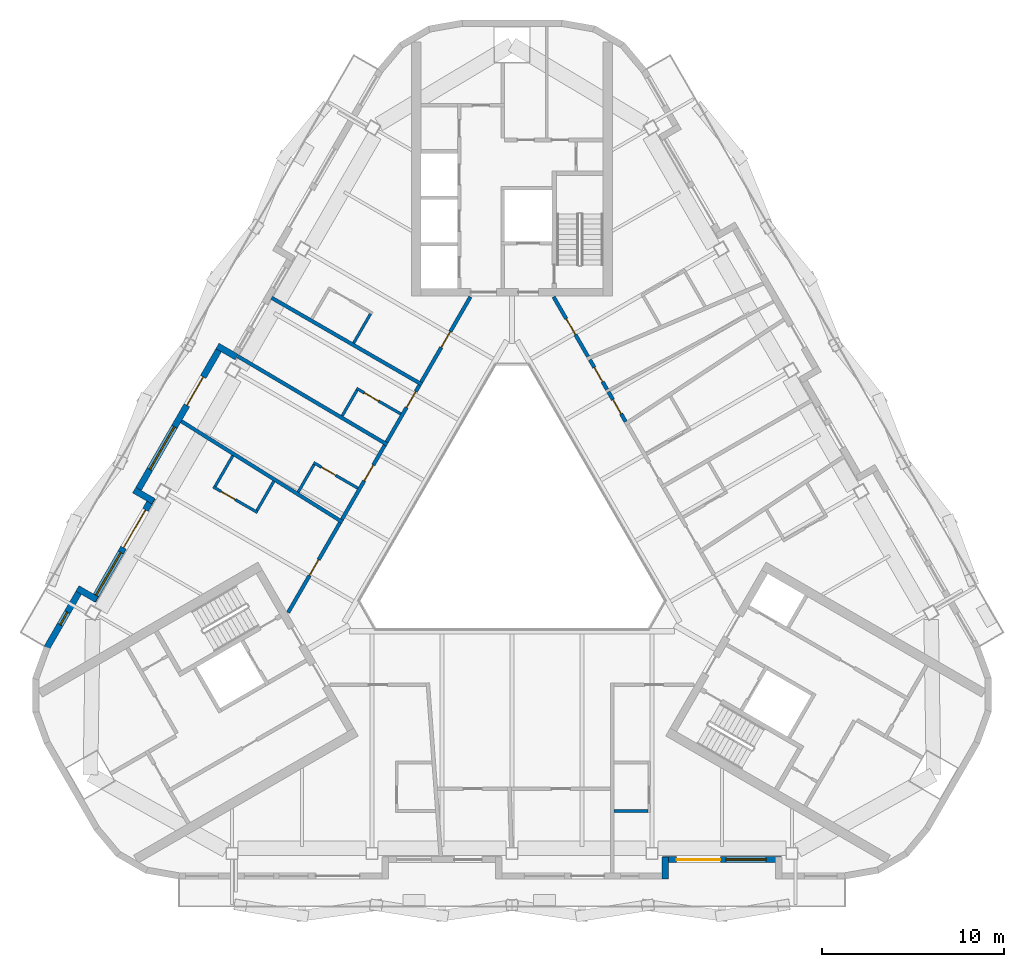
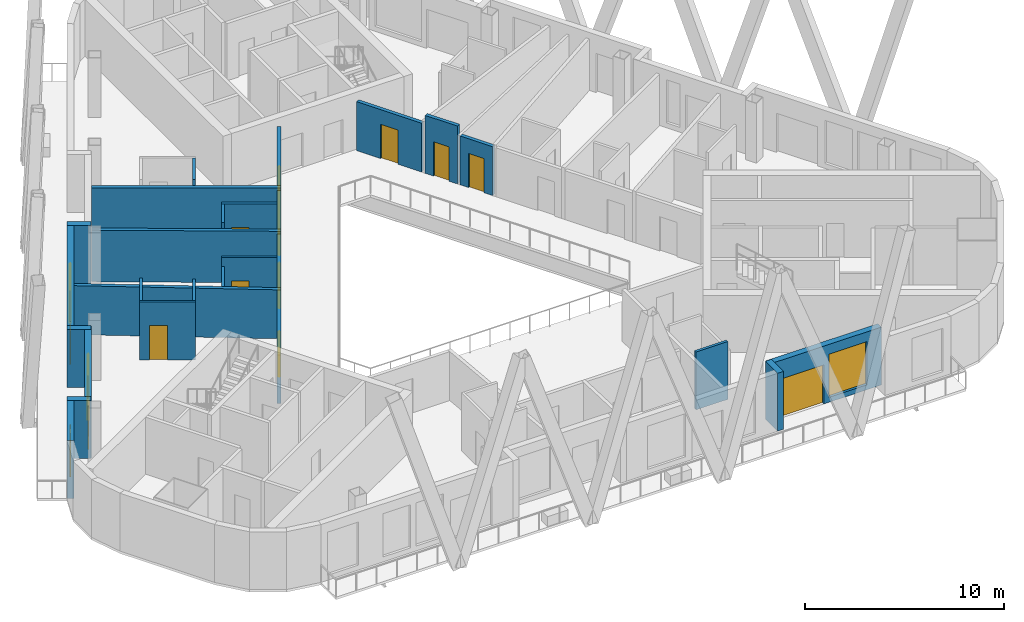
# One storey, part 4 of 14: 27 walls, 13 doors, 4 windows, 17 openings.
"""IFC4 building model written with IfcOpenShell, lengths in metres."""

from ifc_helpers import new_model, si_unit, direction, frame, frame_2d, origin, place, context, subcontext, project, spatial, rectangle, extrude, material, layer, layer_set, type_object, element, fill, save


model = new_model("IFC4")

# Units and contexts
model_context = context("Model", 3, precision=1e-05, world=origin(), true_north=direction((0.0, 1.0)))
body_context = subcontext(model_context, "Body", "Model", "MODEL_VIEW")
ifc_project = project(units=[si_unit("LENGTHUNIT", "METRE"), si_unit("AREAUNIT", "SQUARE_METRE"), si_unit("VOLUMEUNIT", "CUBIC_METRE"), si_unit("PLANEANGLEUNIT", "RADIAN"), si_unit("MASSUNIT", "GRAM", prefix="KILO")], contexts=[model_context])

# Site, building, storey
site_placement = place(None, origin())
site = spatial("IfcSite", under=ifc_project, at=site_placement, CompositionType="ELEMENT")
building_placement = place(site_placement, origin())
building = spatial("IfcBuilding", under=site, at=building_placement, Name="Apuvela Tower Hotel", CompositionType="ELEMENT")
storey_placement = place(building_placement, frame((0.0, 0.0, 257.800048828125)))
storey = spatial("IfcBuildingStorey", under=building, at=storey_placement, Name="L63", CompositionType="ELEMENT", Elevation=257.800048828125)

# Wall
ifc_material_1 = material(Name="Concrete C40/50, dark pigmented precast panel", Category="concrete")
ifc_layer_1 = layer(ifc_material_1, 0.35009765625)
ifc_layer_set_1 = layer_set([ifc_layer_1], Name="ENV-WALL-350")
wall_type_1 = type_object("IfcWallType", Name="ENV-WALL-350", PredefinedType="SOLIDWALL", material=ifc_layer_set_1)
wall_1_placement = place(storey_placement, frame((-15.08984375, 9.54931640625, 0.0), z_axis=(0.0, 0.0, 1.0), x_axis=(-0.866092288191, 0.499884134912, 0.0)))
element("IfcWall", 1, at=wall_1_placement, inside=storey, type_object=wall_type_1, Name="External wall L63-04", PredefinedType="SOLIDWALL", context=body_context, shape_type="SweptSolid", body=[
    extrude(rectangle(XDim=1.219970703125, YDim=0.35009765625, at=frame_2d((0.60986328125, 0.0))), origin(), (0.0, 0.0, 1.0), 3.550048828125),
])

# Wall, openings, door, window
wall_2_placement = place(storey_placement, frame((-15.907470703125, 10.223388671875, 0.0), z_axis=(0.0, 0.0, 1.0), x_axis=(-0.499992427901, -0.866029775494, 0.0)))
wall_2 = element("IfcWall", 2, at=wall_2_placement, inside=storey, type_object=wall_type_1, Name="External wall L63-05", PredefinedType="SOLIDWALL", context=body_context, shape_type="SweptSolid", body=[
    extrude(rectangle(XDim=9.471923828125, YDim=0.35009765625, at=frame_2d((4.73583984375, 0.0))), origin(), (0.0, 0.0, 1.0), 3.550048828125),
])
opening_1_placement = place(wall_2_placement, frame((2.0302734375, 0.0, 0.0)))
opening_1 = element("IfcOpeningElement", 3, at=opening_1_placement, cuts=wall_2, Name="Opening BD18", PredefinedType="OPENING", context=body_context, shape_type="SweptSolid", body=[
    extrude(rectangle(XDim=1.800048828125, YDim=2.39990234375, at=frame_2d((0.89990234375, 1.199951171875))), frame((0.0, 0.18505859375, 0.0), z_axis=(0.0, -1.0, 0.0), x_axis=(1.0, 0.0, 0.0)), (0.0, 0.0, 1.0), 0.3701171875),
])
opening_2_placement = place(wall_2_placement, frame((5.185546875, 0.0, 0.300048828125)))
opening_2 = element("IfcOpeningElement", 4, at=opening_2_placement, cuts=wall_2, Name="Opening WN27", PredefinedType="OPENING", context=body_context, shape_type="SweptSolid", body=[
    extrude(rectangle(XDim=2.699951171875, YDim=2.64990234375, at=frame_2d((1.35009765625, 1.324951171875))), frame((0.0, 0.18505859375, 0.0), z_axis=(0.0, -1.0, 0.0), x_axis=(1.0, 0.0, 0.0)), (0.0, 0.0, 1.0), 0.3701171875),
])
ifc_material_2 = material(Name="Aluminium 6063-T6, dark bronze anodised frame with dark tinted laminated glass", Category="aluminium")
door_type_1 = type_object("IfcDoorType", Name="ENV-DOOR-BALCONY-1800x2400", OperationType="SLIDING_TO_LEFT", PredefinedType="DOOR", material=ifc_material_2)
door_1_placement = place(opening_1_placement, frame((1.800048828125, 0.0, 0.0), z_axis=(0.0, 0.0, 1.0), x_axis=(-1.0, 0.0, 0.0)))
door_1 = element("IfcDoor", 5, at=door_1_placement, inside=storey, type_object=door_type_1, Name="Balcony door BD18", OperationType="SLIDING_TO_LEFT", OverallHeight=2.39990234375, OverallWidth=1.800048828125, PredefinedType="DOOR", context=body_context, shape_type="SweptSolid", body=[
    extrude(rectangle(XDim=1.800048828125, YDim=2.39990234375, at=frame_2d((0.89990234375, 1.199951171875))), frame((0.0, 0.02490234375, 0.0), z_axis=(0.0, -1.0, 0.0), x_axis=(1.0, 0.0, 0.0)), (0.0, 0.0, 1.0), 0.050048828125),
])
fill(opening_1, door_1)
ifc_material_3 = material(Name="Glass, dark tinted laminated insulated glazing unit", Category="glass")
window_type_1 = type_object("IfcWindowType", Name="ENV-WIN-2700x2650", PartitioningType="SINGLE_PANEL", PredefinedType="WINDOW", material=ifc_material_3)
window_1_placement = place(opening_2_placement, origin())
window_1 = element("IfcWindow", 6, at=window_1_placement, inside=storey, type_object=window_type_1, Name="Window WN27", OverallHeight=2.64990234375, OverallWidth=2.699951171875, PartitioningType="SINGLE_PANEL", PredefinedType="WINDOW", context=body_context, shape_type="SweptSolid", body=[
    extrude(rectangle(XDim=2.699951171875, YDim=2.64990234375, at=frame_2d((1.35009765625, 1.324951171875))), frame((0.0, 0.030029296875, 0.0), z_axis=(0.0, -1.0, 0.0), x_axis=(1.0, 0.0, 0.0)), (0.0, 0.0, 1.0), 0.06005859375),
])
fill(opening_2, window_1)

# Wall
wall_3_placement = place(storey_placement, frame((-20.70751953125, 2.259521484375, 0.0), z_axis=(0.0, 0.0, 1.0), x_axis=(0.866092288191, -0.499884134912, 0.0)))
element("IfcWall", 7, at=wall_3_placement, inside=storey, type_object=wall_type_1, Name="External wall L63-06", PredefinedType="SOLIDWALL", context=body_context, shape_type="SweptSolid", body=[
    extrude(rectangle(XDim=1.219970703125, YDim=0.35009765625, at=frame_2d((0.60986328125, 0.0))), origin(), (0.0, 0.0, 1.0), 3.550048828125),
])

# Wall, openings, door, window
wall_4_placement = place(storey_placement, frame((-19.703857421875, 1.84765625, 0.0), z_axis=(0.0, 0.0, 1.0), x_axis=(-0.499993986225, -0.866028875811, 0.0)))
wall_4 = element("IfcWall", 8, at=wall_4_placement, inside=storey, type_object=wall_type_1, Name="External wall L63-07", PredefinedType="SOLIDWALL", context=body_context, shape_type="SweptSolid", body=[
    extrude(rectangle(XDim=6.51171875, YDim=0.35009765625, at=frame_2d((3.255859375, 0.0))), origin(), (0.0, 0.0, 1.0), 3.550048828125),
])
opening_3_placement = place(wall_4_placement, frame((0.77001953125, 0.0, 0.0)))
opening_3 = element("IfcOpeningElement", 9, at=opening_3_placement, cuts=wall_4, Name="Opening BD24", PredefinedType="OPENING", context=body_context, shape_type="SweptSolid", body=[
    extrude(rectangle(XDim=2.39990234375, YDim=2.39990234375, at=frame_2d((1.199951171875, 1.199951171875))), frame((0.0, 0.18505859375, 0.0), z_axis=(0.0, -1.0, 0.0), x_axis=(1.0, 0.0, 0.0)), (0.0, 0.0, 1.0), 0.3701171875),
])
opening_4_placement = place(wall_4_placement, frame((3.469970703125, 0.0, 0.300048828125)))
opening_4 = element("IfcOpeningElement", 10, at=opening_4_placement, cuts=wall_4, Name="Opening WN27", PredefinedType="OPENING", context=body_context, shape_type="SweptSolid", body=[
    extrude(rectangle(XDim=2.699951171875, YDim=2.64990234375, at=frame_2d((1.35009765625, 1.324951171875))), frame((0.0, 0.18505859375, 0.0), z_axis=(0.0, -1.0, 0.0), x_axis=(1.0, 0.0, 0.0)), (0.0, 0.0, 1.0), 0.3701171875),
])
door_type_2 = type_object("IfcDoorType", Name="ENV-DOOR-BALCONY-2400x2400", OperationType="SLIDING_TO_LEFT", PredefinedType="DOOR", material=ifc_material_2)
door_2_placement = place(opening_3_placement, frame((2.39990234375, 0.0, 0.0), z_axis=(0.0, 0.0, 1.0), x_axis=(-1.0, 0.0, 0.0)))
door_2 = element("IfcDoor", 11, at=door_2_placement, inside=storey, type_object=door_type_2, Name="Balcony door BD24", OperationType="SLIDING_TO_LEFT", OverallHeight=2.39990234375, OverallWidth=2.39990234375, PredefinedType="DOOR", context=body_context, shape_type="SweptSolid", body=[
    extrude(rectangle(XDim=2.39990234375, YDim=2.39990234375, at=frame_2d((1.199951171875, 1.199951171875))), frame((0.0, 0.02490234375, 0.0), z_axis=(0.0, -1.0, 0.0), x_axis=(1.0, 0.0, 0.0)), (0.0, 0.0, 1.0), 0.050048828125),
])
fill(opening_3, door_2)
window_2_placement = place(opening_4_placement, origin())
window_2 = element("IfcWindow", 12, at=window_2_placement, inside=storey, type_object=window_type_1, Name="Window WN27", OverallHeight=2.64990234375, OverallWidth=2.699951171875, PartitioningType="SINGLE_PANEL", PredefinedType="WINDOW", context=body_context, shape_type="SweptSolid", body=[
    extrude(rectangle(XDim=2.699951171875, YDim=2.64990234375, at=frame_2d((1.35009765625, 1.324951171875))), frame((0.0, 0.030029296875, 0.0), z_axis=(0.0, -1.0, 0.0), x_axis=(1.0, 0.0, 0.0)), (0.0, 0.0, 1.0), 0.06005859375),
])
fill(opening_4, window_2)

# Wall
wall_5_placement = place(storey_placement, frame((-22.76171875, -3.738525390625, 0.0), z_axis=(0.0, 0.0, 1.0), x_axis=(-0.866042269935, 0.499970785833, 0.0)))
element("IfcWall", 13, at=wall_5_placement, inside=storey, type_object=wall_type_1, Name="External wall L63-08", PredefinedType="SOLIDWALL", context=body_context, shape_type="SweptSolid", body=[
    extrude(rectangle(XDim=1.2197265625, YDim=0.35009765625, at=frame_2d((0.60986328125, 0.0))), origin(), (0.0, 0.0, 1.0), 3.550048828125),
])

# Wall, opening, window
wall_6_placement = place(storey_placement, frame((-23.5791015625, -3.064697265625, 0.0), z_axis=(0.0, 0.0, 1.0), x_axis=(-0.500048109927, -0.865997625723, 0.0)))
wall_6 = element("IfcWall", 14, at=wall_6_placement, inside=storey, type_object=wall_type_1, Name="External wall L63-09", PredefinedType="SOLIDWALL", context=body_context, shape_type="SweptSolid", body=[
    extrude(rectangle(XDim=3.82861328125, YDim=0.35009765625, at=frame_2d((1.914306640625, 0.0))), origin(), (0.0, 0.0, 1.0), 3.550048828125),
])
opening_5_placement = place(wall_6_placement, frame((1.57470703125, 0.0, 0.300048828125)))
opening_5 = element("IfcOpeningElement", 15, at=opening_5_placement, cuts=wall_6, Name="Opening WN08", PredefinedType="OPENING", context=body_context, shape_type="SweptSolid", body=[
    extrude(rectangle(XDim=0.800048828125, YDim=2.64990234375, at=frame_2d((0.39990234375, 1.324951171875))), frame((0.0, 0.18505859375, 0.0), z_axis=(0.0, -1.0, 0.0), x_axis=(1.0, 0.0, 0.0)), (0.0, 0.0, 1.0), 0.3701171875),
])
window_type_2 = type_object("IfcWindowType", Name="ENV-WIN-800x2650", PartitioningType="SINGLE_PANEL", PredefinedType="WINDOW", material=ifc_material_3)
window_3_placement = place(opening_5_placement, origin())
window_3 = element("IfcWindow", 16, at=window_3_placement, inside=storey, type_object=window_type_2, Name="Window WN08", OverallHeight=2.64990234375, OverallWidth=0.800048828125, PartitioningType="SINGLE_PANEL", PredefinedType="WINDOW", context=body_context, shape_type="SweptSolid", body=[
    extrude(rectangle(XDim=0.800048828125, YDim=2.64990234375, at=frame_2d((0.39990234375, 1.324951171875))), frame((0.0, 0.030029296875, 0.0), z_axis=(0.0, -1.0, 0.0), x_axis=(1.0, 0.0, 0.0)), (0.0, 0.0, 1.0), 0.06005859375),
])
fill(opening_5, window_3)

# Wall
wall_7_placement = place(storey_placement, frame((8.396728515625, -19.06298828125, 0.0), z_axis=(0.0, 0.0, 1.0), x_axis=(0.0, 1.0, 0.0)))
element("IfcWall", 17, at=wall_7_placement, inside=storey, type_object=wall_type_1, Name="External wall L63-22", PredefinedType="SOLIDWALL", context=body_context, shape_type="SweptSolid", body=[
    extrude(rectangle(XDim=1.219970703125, YDim=0.35009765625, at=frame_2d((0.60986328125, 0.0))), origin(), (0.0, 0.0, 1.0), 3.550048828125),
])

# Wall, openings, door, window
wall_8_placement = place(storey_placement, frame((8.251708984375, -17.98779296875, 0.0), z_axis=(0.0, 0.0, 1.0), x_axis=(1.0, 0.0, 0.0)))
wall_8 = element("IfcWall", 18, at=wall_8_placement, inside=storey, type_object=wall_type_1, Name="External wall L63-23", PredefinedType="SOLIDWALL", context=body_context, shape_type="SweptSolid", body=[
    extrude(rectangle(XDim=6.51171875, YDim=0.35009765625, at=frame_2d((3.255859375, 0.0))), origin(), (0.0, 0.0, 1.0), 3.550048828125),
])
opening_6_placement = place(wall_8_placement, frame((0.77001953125, 0.0, 0.0)))
opening_6 = element("IfcOpeningElement", 19, at=opening_6_placement, cuts=wall_8, Name="Opening BD24", PredefinedType="OPENING", context=body_context, shape_type="SweptSolid", body=[
    extrude(rectangle(XDim=2.39990234375, YDim=2.39990234375, at=frame_2d((1.199951171875, 1.199951171875))), frame((0.0, 0.18505859375, 0.0), z_axis=(0.0, -1.0, 0.0), x_axis=(1.0, 0.0, 0.0)), (0.0, 0.0, 1.0), 0.3701171875),
])
opening_7_placement = place(wall_8_placement, frame((3.469970703125, 0.0, 0.300048828125)))
opening_7 = element("IfcOpeningElement", 20, at=opening_7_placement, cuts=wall_8, Name="Opening WN22", PredefinedType="OPENING", context=body_context, shape_type="SweptSolid", body=[
    extrude(rectangle(XDim=2.199951171875, YDim=2.64990234375, at=frame_2d((1.10009765625, 1.324951171875))), frame((0.0, 0.18505859375, 0.0), z_axis=(0.0, -1.0, 0.0), x_axis=(1.0, 0.0, 0.0)), (0.0, 0.0, 1.0), 0.3701171875),
])
door_3_placement = place(opening_6_placement, frame((2.39990234375, 0.0, 0.0), z_axis=(0.0, 0.0, 1.0), x_axis=(-1.0, 0.0, 0.0)))
door_3 = element("IfcDoor", 21, at=door_3_placement, inside=storey, type_object=door_type_2, Name="Balcony door BD24", OperationType="SLIDING_TO_LEFT", OverallHeight=2.39990234375, OverallWidth=2.39990234375, PredefinedType="DOOR", context=body_context, shape_type="SweptSolid", body=[
    extrude(rectangle(XDim=2.39990234375, YDim=2.39990234375, at=frame_2d((1.199951171875, 1.199951171875))), frame((0.0, 0.02490234375, 0.0), z_axis=(0.0, -1.0, 0.0), x_axis=(1.0, 0.0, 0.0)), (0.0, 0.0, 1.0), 0.050048828125),
])
fill(opening_6, door_3)
window_type_3 = type_object("IfcWindowType", Name="ENV-WIN-2200x2650", PartitioningType="SINGLE_PANEL", PredefinedType="WINDOW", material=ifc_material_3)
window_4_placement = place(opening_7_placement, origin())
window_4 = element("IfcWindow", 22, at=window_4_placement, inside=storey, type_object=window_type_3, Name="Window WN22", OverallHeight=2.64990234375, OverallWidth=2.199951171875, PartitioningType="SINGLE_PANEL", PredefinedType="WINDOW", context=body_context, shape_type="SweptSolid", body=[
    extrude(rectangle(XDim=2.199951171875, YDim=2.64990234375, at=frame_2d((1.10009765625, 1.324951171875))), frame((0.0, 0.030029296875, 0.0), z_axis=(0.0, -1.0, 0.0), x_axis=(1.0, 0.0, 0.0)), (0.0, 0.0, 1.0), 0.06005859375),
])
fill(opening_7, window_4)

# Walls
ifc_material_4 = material(Name="Gypsum board partition on twin steel stud", Category="steel")
ifc_layer_2 = layer(ifc_material_4, 0.199951171875)
ifc_layer_set_2 = layer_set([ifc_layer_2], Name="GST-PW1")
wall_type_2 = type_object("IfcWallType", Name="GST-PW1", PredefinedType="PARTITIONING", material=ifc_layer_set_2)
wall_9_placement = place(storey_placement, frame((-13.176513671875, 12.8037109375, 0.0), z_axis=(0.0, 0.0, 1.0), x_axis=(0.866021901412, -0.500006066238, 0.0)))
element("IfcWall", 23, at=wall_9_placement, inside=storey, type_object=wall_type_2, Name="L63 partition 08", PredefinedType="PARTITIONING", context=body_context, shape_type="SweptSolid", body=[
    extrude(rectangle(XDim=9.51318359375, YDim=0.199951171875, at=frame_2d((4.756591796875, 0.0))), origin(), (0.0, 0.0, 1.0), 3.159912109375),
])
wall_10_placement = place(storey_placement, frame((-15.028564453125, 9.595703125, 0.0), z_axis=(0.0, 0.0, 1.0), x_axis=(0.860830464323, -0.508891846754, 0.0)))
element("IfcWall", 24, at=wall_10_placement, inside=storey, type_object=wall_type_2, Name="L63 partition 09", PredefinedType="PARTITIONING", context=body_context, shape_type="SweptSolid", body=[
    extrude(rectangle(XDim=9.513427734375, YDim=0.199951171875, at=frame_2d((4.7568359375, 0.0))), origin(), (0.0, 0.0, 1.0), 3.159912109375),
])
wall_11_placement = place(storey_placement, frame((-18.123779296875, 6.034423828125, 0.0), z_axis=(0.0, 0.0, 1.0), x_axis=(0.847667734063, -0.530527485271, 0.0)))
element("IfcWall", 25, at=wall_11_placement, inside=storey, type_object=wall_type_2, Name="L63 partition 10", PredefinedType="PARTITIONING", context=body_context, shape_type="SweptSolid", body=[
    extrude(rectangle(XDim=10.41943359375, YDim=0.199951171875, at=frame_2d((5.209716796875, 0.0))), origin(), (0.0, 0.0, 1.0), 3.0),
])

# Wall, opening, door
ifc_material_5 = material(Name="Gypsum board corridor wall on twin steel stud, acoustic", Category="steel")
ifc_layer_3 = layer(ifc_material_5, 0.199951171875)
ifc_layer_set_3 = layer_set([ifc_layer_3], Name="GST-PW2")
wall_type_3 = type_object("IfcWallType", Name="GST-PW2", PredefinedType="PARTITIONING", material=ifc_layer_set_3)
wall_12_placement = place(storey_placement, frame((5.28564453125, 7.64501953125, 0.0), z_axis=(0.0, 0.0, 1.0), x_axis=(0.500014143148, -0.86601723808, 0.0)))
wall_12 = element("IfcWall", 26, at=wall_12_placement, inside=storey, type_object=wall_type_3, Name="L63 partition 32", PredefinedType="PARTITIONING", context=body_context, shape_type="SweptSolid", body=[
    extrude(rectangle(XDim=1.8837890625, YDim=0.199951171875, at=frame_2d((0.94189453125, 0.0))), origin(), (0.0, 0.0, 1.0), 3.0),
])
opening_8_placement = place(wall_12_placement, frame((0.491943359375, 0.0, 0.0)))
opening_8 = element("IfcOpeningElement", 27, at=opening_8_placement, cuts=wall_12, Name="Opening GD25-13", PredefinedType="OPENING", context=body_context, shape_type="SweptSolid", body=[
    extrude(rectangle(XDim=0.89990234375, YDim=2.10009765625, at=frame_2d((0.449951171875, 1.050048828125))), frame((0.0, 0.10986328125, 0.0), z_axis=(0.0, -1.0, 0.0), x_axis=(1.0, 0.0, 0.0)), (0.0, 0.0, 1.0), 0.219970703125),
])
ifc_material_6 = material(Name="Timber door leaf in steel frame", Category="steel")
door_type_3 = type_object("IfcDoorType", Name="GST-D2", OperationType="NOTDEFINED", PredefinedType="DOOR", material=ifc_material_6)
door_4_placement = place(opening_8_placement, origin())
door_4 = element("IfcDoor", 28, at=door_4_placement, inside=storey, type_object=door_type_3, Name="Door L63-13", OperationType="SINGLE_SWING_LEFT", OverallHeight=2.10009765625, OverallWidth=0.89990234375, PredefinedType="DOOR", context=body_context, shape_type="SweptSolid", body=[
    extrude(rectangle(XDim=0.89990234375, YDim=2.10009765625, at=frame_2d((0.449951171875, 1.050048828125))), frame((0.0, 0.02490234375, 0.0), z_axis=(0.0, -1.0, 0.0), x_axis=(1.0, 0.0, 0.0)), (0.0, 0.0, 1.0), 0.050048828125),
])
fill(opening_8, door_4)

wall_13_placement = place(storey_placement, frame((4.26904296875, 9.406005859375, 0.0), z_axis=(0.0, 0.0, 1.0), x_axis=(0.499973055223, -0.8660409598, 0.0)))
wall_13 = element("IfcWall", 29, at=wall_13_placement, inside=storey, type_object=wall_type_3, Name="L63 partition 33", PredefinedType="PARTITIONING", context=body_context, shape_type="SweptSolid", body=[
    extrude(rectangle(XDim=1.88330078125, YDim=0.199951171875, at=frame_2d((0.941650390625, 0.0))), origin(), (0.0, 0.0, 1.0), 3.550048828125),
])
opening_9_placement = place(wall_13_placement, frame((0.49169921875, 0.0, 0.0)))
opening_9 = element("IfcOpeningElement", 30, at=opening_9_placement, cuts=wall_13, Name="Opening GD25-14", PredefinedType="OPENING", context=body_context, shape_type="SweptSolid", body=[
    extrude(rectangle(XDim=0.89990234375, YDim=2.10009765625, at=frame_2d((0.449951171875, 1.050048828125))), frame((0.0, 0.10986328125, 0.0), z_axis=(0.0, -1.0, 0.0), x_axis=(1.0, 0.0, 0.0)), (0.0, 0.0, 1.0), 0.219970703125),
])
door_5_placement = place(opening_9_placement, origin())
door_5 = element("IfcDoor", 31, at=door_5_placement, inside=storey, type_object=door_type_3, Name="Door L63-14", OperationType="SINGLE_SWING_RIGHT", OverallHeight=2.10009765625, OverallWidth=0.89990234375, PredefinedType="DOOR", context=body_context, shape_type="SweptSolid", body=[
    extrude(rectangle(XDim=0.89990234375, YDim=2.10009765625, at=frame_2d((0.449951171875, 1.050048828125))), frame((0.0, 0.02490234375, 0.0), z_axis=(0.0, -1.0, 0.0), x_axis=(1.0, 0.0, 0.0)), (0.0, 0.0, 1.0), 0.050048828125),
])
fill(opening_9, door_5)

wall_14_placement = place(storey_placement, frame((2.280517578125, 12.85009765625, 0.0), z_axis=(0.0, 0.0, 1.0), x_axis=(0.499978071388, -0.866038063904, 0.0)))
wall_14 = element("IfcWall", 32, at=wall_14_placement, inside=storey, type_object=wall_type_3, Name="L63 partition 34", PredefinedType="PARTITIONING", context=body_context, shape_type="SweptSolid", body=[
    extrude(rectangle(XDim=3.775634765625, YDim=0.199951171875, at=frame_2d((1.8876953125, 0.0))), origin(), (0.0, 0.0, 1.0), 3.0),
])
opening_10_placement = place(wall_14_placement, frame((1.3876953125, 0.0, 0.0)))
opening_10 = element("IfcOpeningElement", 33, at=opening_10_placement, cuts=wall_14, Name="Opening GD25-16", PredefinedType="OPENING", context=body_context, shape_type="SweptSolid", body=[
    extrude(rectangle(XDim=1.0, YDim=2.10009765625, at=frame_2d((0.5, 1.050048828125))), frame((0.0, 0.10986328125, 0.0), z_axis=(0.0, -1.0, 0.0), x_axis=(1.0, 0.0, 0.0)), (0.0, 0.0, 1.0), 0.219970703125),
])
door_type_4 = type_object("IfcDoorType", Name="GST-D1", OperationType="NOTDEFINED", PredefinedType="DOOR", material=ifc_material_6)
door_6_placement = place(opening_10_placement, origin())
door_6 = element("IfcDoor", 34, at=door_6_placement, inside=storey, type_object=door_type_4, Name="Door L63-16", OperationType="SINGLE_SWING_RIGHT", OverallHeight=2.10009765625, OverallWidth=1.0, PredefinedType="DOOR", context=body_context, shape_type="SweptSolid", body=[
    extrude(rectangle(XDim=1.0, YDim=2.10009765625, at=frame_2d((0.5, 1.050048828125))), frame((0.0, 0.02490234375, 0.0), z_axis=(0.0, -1.0, 0.0), x_axis=(1.0, 0.0, 0.0)), (0.0, 0.0, 1.0), 0.050048828125),
])
fill(opening_10, door_6)

wall_15_placement = place(storey_placement, frame((-4.974609375, 8.18359375, 0.0), z_axis=(0.0, 0.0, 1.0), x_axis=(0.499983925036, 0.86603468447, 0.0)))
wall_15 = element("IfcWall", 35, at=wall_15_placement, inside=storey, type_object=wall_type_3, Name="L63 partition 38", PredefinedType="PARTITIONING", context=body_context, shape_type="SweptSolid", body=[
    extrude(rectangle(XDim=5.388427734375, YDim=0.199951171875, at=frame_2d((2.6943359375, 0.0))), origin(), (0.0, 0.0, 1.0), 3.0),
])
opening_11_placement = place(wall_15_placement, frame((2.194091796875, 0.0, 0.0)))
opening_11 = element("IfcOpeningElement", 36, at=opening_11_placement, cuts=wall_15, Name="Opening GD25-18", PredefinedType="OPENING", context=body_context, shape_type="SweptSolid", body=[
    extrude(rectangle(XDim=1.0, YDim=2.10009765625, at=frame_2d((0.5, 1.050048828125))), frame((0.0, 0.10986328125, 0.0), z_axis=(0.0, -1.0, 0.0), x_axis=(1.0, 0.0, 0.0)), (0.0, 0.0, 1.0), 0.219970703125),
])
door_7_placement = place(opening_11_placement, origin())
door_7 = element("IfcDoor", 37, at=door_7_placement, inside=storey, type_object=door_type_4, Name="Door L63-18", OperationType="SINGLE_SWING_LEFT", OverallHeight=2.10009765625, OverallWidth=1.0, PredefinedType="DOOR", context=body_context, shape_type="SweptSolid", body=[
    extrude(rectangle(XDim=1.0, YDim=2.10009765625, at=frame_2d((0.5, 1.050048828125))), frame((0.0, 0.02490234375, 0.0), z_axis=(0.0, -1.0, 0.0), x_axis=(1.0, 0.0, 0.0)), (0.0, 0.0, 1.0), 0.050048828125),
])
fill(opening_11, door_7)

wall_16_placement = place(storey_placement, frame((-6.875, 4.891845703125, 0.0), z_axis=(0.0, 0.0, 1.0), x_axis=(0.499945471869, 0.866056883327, 0.0)))
wall_16 = element("IfcWall", 38, at=wall_16_placement, inside=storey, type_object=wall_type_3, Name="L63 partition 42", PredefinedType="PARTITIONING", context=body_context, shape_type="SweptSolid", body=[
    extrude(rectangle(XDim=3.60107421875, YDim=0.199951171875, at=frame_2d((1.800537109375, 0.0))), origin(), (0.0, 0.0, 1.0), 3.0),
])
opening_12_placement = place(wall_16_placement, frame((2.200927734375, 0.0, 0.0)))
opening_12 = element("IfcOpeningElement", 39, at=opening_12_placement, cuts=wall_16, Name="Opening GD25-20", PredefinedType="OPENING", context=body_context, shape_type="SweptSolid", body=[
    extrude(rectangle(XDim=1.0, YDim=2.10009765625, at=frame_2d((0.5, 1.050048828125))), frame((0.0, 0.10986328125, 0.0), z_axis=(0.0, -1.0, 0.0), x_axis=(1.0, 0.0, 0.0)), (0.0, 0.0, 1.0), 0.219970703125),
])
door_8_placement = place(opening_12_placement, origin())
door_8 = element("IfcDoor", 40, at=door_8_placement, inside=storey, type_object=door_type_4, Name="Door L63-20", OperationType="SINGLE_SWING_RIGHT", OverallHeight=2.10009765625, OverallWidth=1.0, PredefinedType="DOOR", context=body_context, shape_type="SweptSolid", body=[
    extrude(rectangle(XDim=1.0, YDim=2.10009765625, at=frame_2d((0.5, 1.050048828125))), frame((0.0, 0.02490234375, 0.0), z_axis=(0.0, -1.0, 0.0), x_axis=(1.0, 0.0, 0.0)), (0.0, 0.0, 1.0), 0.050048828125),
])
fill(opening_12, door_8)

wall_17_placement = place(storey_placement, frame((-9.326416015625, 0.646240234375, 0.0), z_axis=(0.0, 0.0, 1.0), x_axis=(0.500008572427, 0.866020454435, 0.0)))
wall_17 = element("IfcWall", 41, at=wall_17_placement, inside=storey, type_object=wall_type_3, Name="L63 partition 45", PredefinedType="PARTITIONING", context=body_context, shape_type="SweptSolid", body=[
    extrude(rectangle(XDim=4.70263671875, YDim=0.199951171875, at=frame_2d((2.351318359375, 0.0))), origin(), (0.0, 0.0, 1.0), 3.0),
])
opening_13_placement = place(wall_17_placement, frame((2.45361328125, 0.0, 0.0)))
opening_13 = element("IfcOpeningElement", 42, at=opening_13_placement, cuts=wall_17, Name="Opening GD25-22", PredefinedType="OPENING", context=body_context, shape_type="SweptSolid", body=[
    extrude(rectangle(XDim=1.0, YDim=2.10009765625, at=frame_2d((0.5, 1.050048828125))), frame((0.0, 0.10986328125, 0.0), z_axis=(0.0, -1.0, 0.0), x_axis=(1.0, 0.0, 0.0)), (0.0, 0.0, 1.0), 0.219970703125),
])
door_9_placement = place(opening_13_placement, origin())
door_9 = element("IfcDoor", 43, at=door_9_placement, inside=storey, type_object=door_type_4, Name="Door L63-22", OperationType="SINGLE_SWING_RIGHT", OverallHeight=2.10009765625, OverallWidth=1.0, PredefinedType="DOOR", context=body_context, shape_type="SweptSolid", body=[
    extrude(rectangle(XDim=1.0, YDim=2.10009765625, at=frame_2d((0.5, 1.050048828125))), frame((0.0, 0.02490234375, 0.0), z_axis=(0.0, -1.0, 0.0), x_axis=(1.0, 0.0, 0.0)), (0.0, 0.0, 1.0), 0.050048828125),
])
fill(opening_13, door_9)

wall_18_placement = place(storey_placement, frame((-12.268798828125, -4.449951171875, 0.0), z_axis=(0.0, 0.0, 1.0), x_axis=(0.500009958894, 0.866019653938, 0.0)))
wall_18 = element("IfcWall", 44, at=wall_18_placement, inside=storey, type_object=wall_type_3, Name="L63 partition 48", PredefinedType="PARTITIONING", context=body_context, shape_type="SweptSolid", body=[
    extrude(rectangle(XDim=5.6845703125, YDim=0.199951171875, at=frame_2d((2.84228515625, 0.0))), origin(), (0.0, 0.0, 1.0), 3.0),
])
opening_14_placement = place(wall_18_placement, frame((2.34228515625, 0.0, 0.0)))
opening_14 = element("IfcOpeningElement", 45, at=opening_14_placement, cuts=wall_18, Name="Opening GD25-24", PredefinedType="OPENING", context=body_context, shape_type="SweptSolid", body=[
    extrude(rectangle(XDim=1.0, YDim=2.10009765625, at=frame_2d((0.5, 1.050048828125))), frame((0.0, 0.10986328125, 0.0), z_axis=(0.0, -1.0, 0.0), x_axis=(1.0, 0.0, 0.0)), (0.0, 0.0, 1.0), 0.219970703125),
])
door_10_placement = place(opening_14_placement, origin())
door_10 = element("IfcDoor", 46, at=door_10_placement, inside=storey, type_object=door_type_4, Name="Door L63-24", OperationType="SINGLE_SWING_RIGHT", OverallHeight=2.10009765625, OverallWidth=1.0, PredefinedType="DOOR", context=body_context, shape_type="SweptSolid", body=[
    extrude(rectangle(XDim=1.0, YDim=2.10009765625, at=frame_2d((0.5, 1.050048828125))), frame((0.0, 0.02490234375, 0.0), z_axis=(0.0, -1.0, 0.0), x_axis=(1.0, 0.0, 0.0)), (0.0, 0.0, 1.0), 0.050048828125),
])
fill(opening_14, door_10)

# Walls
ifc_material_7 = material(Name="Moisture-resistant gypsum board wet wall on steel stud", Category="steel")
ifc_layer_4 = layer(ifc_material_7, 0.14990234375)
ifc_layer_set_4 = layer_set([ifc_layer_4], Name="GST-PW3")
wall_type_4 = type_object("IfcWallType", Name="GST-PW3", PredefinedType="PARTITIONING", material=ifc_layer_set_4)
for number, where, z_axis, x_axis, name in (
    (47, (5.60009765625, -15.324951171875, 0.0), (0.0, 0.0, 1.0), (1.0, 0.0, 0.0), "L63 partition 19"),
    (48, (-7.751953125, 11.92333984375, 0.0), (0.0, 0.0, 1.0), (-0.500042316284, -0.866000971088, 0.0), "L63 partition 41"),
):
    element("IfcWall", number, at=place(storey_placement, frame(where, z_axis=z_axis, x_axis=x_axis)), inside=storey, type_object=wall_type_4, Name=name, PredefinedType="PARTITIONING", context=body_context, shape_type="SweptSolid", body=[
        extrude(rectangle(XDim=1.849853515625, YDim=0.14990234375, at=frame_2d((0.9248046875, 0.0))), origin(), (0.0, 0.0, 1.0), 3.550048828125),
    ])

# Wall, opening, door
wall_19_placement = place(storey_placement, frame((-6.09814453125, 6.4375, 0.0), z_axis=(0.0, 0.0, 1.0), x_axis=(-0.866018616679, 0.500011755427, 0.0)))
wall_19 = element("IfcWall", 49, at=wall_19_placement, inside=storey, type_object=wall_type_4, Name="L63 partition 43", PredefinedType="PARTITIONING", context=body_context, shape_type="SweptSolid", body=[
    extrude(rectangle(XDim=2.80029296875, YDim=0.14990234375, at=frame_2d((1.400146484375, 0.0))), origin(), (0.0, 0.0, 1.0), 3.550048828125),
])
opening_15_placement = place(wall_19_placement, frame((1.39990234375, 0.0, 0.0)))
opening_15 = element("IfcOpeningElement", 50, at=opening_15_placement, cuts=wall_19, Name="Opening GD25-19", PredefinedType="OPENING", context=body_context, shape_type="SweptSolid", body=[
    extrude(rectangle(XDim=0.89990234375, YDim=2.10009765625, at=frame_2d((0.449951171875, 1.050048828125))), frame((0.0, 0.0849609375, 0.0), z_axis=(0.0, -1.0, 0.0), x_axis=(1.0, 0.0, 0.0)), (0.0, 0.0, 1.0), 0.169921875),
])
door_11_placement = place(opening_15_placement, origin())
door_11 = element("IfcDoor", 51, at=door_11_placement, inside=storey, type_object=door_type_3, Name="Door L63-19", OperationType="SINGLE_SWING_RIGHT", OverallHeight=2.10009765625, OverallWidth=0.89990234375, PredefinedType="DOOR", context=body_context, shape_type="SweptSolid", body=[
    extrude(rectangle(XDim=0.89990234375, YDim=2.10009765625, at=frame_2d((0.449951171875, 1.050048828125))), frame((0.0, 0.02490234375, 0.0), z_axis=(0.0, -1.0, 0.0), x_axis=(1.0, 0.0, 0.0)), (0.0, 0.0, 1.0), 0.050048828125),
])
fill(opening_15, door_11)

# Wall
wall_20_placement = place(storey_placement, frame((-8.49560546875, 7.735107421875, 0.0), z_axis=(0.0, 0.0, 1.0), x_axis=(-0.500021943523, -0.866012734315, 0.0)))
element("IfcWall", 52, at=wall_20_placement, inside=storey, type_object=wall_type_4, Name="L63 partition 44", PredefinedType="PARTITIONING", context=body_context, shape_type="SweptSolid", body=[
    extrude(rectangle(XDim=1.623046875, YDim=0.14990234375, at=frame_2d((0.8115234375, 0.0))), origin(), (0.0, 0.0, 1.0), 3.550048828125),
])

# Wall, opening, door
wall_21_placement = place(storey_placement, frame((-8.44873046875, 2.366455078125, 0.0), z_axis=(0.0, 0.0, 1.0), x_axis=(-0.866034573852, 0.49998411664, 0.0)))
wall_21 = element("IfcWall", 53, at=wall_21_placement, inside=storey, type_object=wall_type_4, Name="L63 partition 46", PredefinedType="PARTITIONING", context=body_context, shape_type="SweptSolid", body=[
    extrude(rectangle(XDim=2.7998046875, YDim=0.14990234375, at=frame_2d((1.39990234375, 0.0))), origin(), (0.0, 0.0, 1.0), 3.550048828125),
])
opening_16_placement = place(wall_21_placement, frame((1.39990234375, 0.0, 0.0)))
opening_16 = element("IfcOpeningElement", 54, at=opening_16_placement, cuts=wall_21, Name="Opening GD25-21", PredefinedType="OPENING", context=body_context, shape_type="SweptSolid", body=[
    extrude(rectangle(XDim=0.89990234375, YDim=2.10009765625, at=frame_2d((0.449951171875, 1.050048828125))), frame((0.0, 0.0849609375, 0.0), z_axis=(0.0, -1.0, 0.0), x_axis=(1.0, 0.0, 0.0)), (0.0, 0.0, 1.0), 0.169921875),
])
door_12_placement = place(opening_16_placement, origin())
door_12 = element("IfcDoor", 55, at=door_12_placement, inside=storey, type_object=door_type_3, Name="Door L63-21", OperationType="SINGLE_SWING_RIGHT", OverallHeight=2.10009765625, OverallWidth=0.89990234375, PredefinedType="DOOR", context=body_context, shape_type="SweptSolid", body=[
    extrude(rectangle(XDim=0.89990234375, YDim=2.10009765625, at=frame_2d((0.449951171875, 1.050048828125))), frame((0.0, 0.02490234375, 0.0), z_axis=(0.0, -1.0, 0.0), x_axis=(1.0, 0.0, 0.0)), (0.0, 0.0, 1.0), 0.050048828125),
])
fill(opening_16, door_12)

# Wall
wall_22_placement = place(storey_placement, frame((-10.84619140625, 3.6640625, 0.0), z_axis=(0.0, 0.0, 1.0), x_axis=(-0.499899295206, -0.866083537918, 0.0)))
element("IfcWall", 56, at=wall_22_placement, inside=storey, type_object=wall_type_4, Name="L63 partition 47", PredefinedType="PARTITIONING", context=body_context, shape_type="SweptSolid", body=[
    extrude(rectangle(XDim=1.752685546875, YDim=0.14990234375, at=frame_2d((0.87646484375, 0.0))), origin(), (0.0, 0.0, 1.0), 3.0),
])

# Wall, opening, door
wall_23_placement = place(storey_placement, frame((-16.376220703125, 2.435546875, 0.0), z_axis=(0.0, 0.0, 1.0), x_axis=(0.865996816683, -0.500049511043, 0.0)))
wall_23 = element("IfcWall", 57, at=wall_23_placement, inside=storey, type_object=wall_type_4, Name="L63 partition 49", PredefinedType="PARTITIONING", context=body_context, shape_type="SweptSolid", body=[
    extrude(rectangle(XDim=2.800048828125, YDim=0.14990234375, at=frame_2d((1.39990234375, 0.0))), origin(), (0.0, 0.0, 1.0), 3.550048828125),
])
opening_17_placement = place(wall_23_placement, frame((0.5, 0.0, 0.0)))
opening_17 = element("IfcOpeningElement", 58, at=opening_17_placement, cuts=wall_23, Name="Opening GD25-23", PredefinedType="OPENING", context=body_context, shape_type="SweptSolid", body=[
    extrude(rectangle(XDim=0.89990234375, YDim=2.10009765625, at=frame_2d((0.449951171875, 1.050048828125))), frame((0.0, 0.0849609375, 0.0), z_axis=(0.0, -1.0, 0.0), x_axis=(1.0, 0.0, 0.0)), (0.0, 0.0, 1.0), 0.169921875),
])
door_13_placement = place(opening_17_placement, origin())
door_13 = element("IfcDoor", 59, at=door_13_placement, inside=storey, type_object=door_type_3, Name="Door L63-23", OperationType="SINGLE_SWING_LEFT", OverallHeight=2.10009765625, OverallWidth=0.89990234375, PredefinedType="DOOR", context=body_context, shape_type="SweptSolid", body=[
    extrude(rectangle(XDim=0.89990234375, YDim=2.10009765625, at=frame_2d((0.449951171875, 1.050048828125))), frame((0.0, 0.02490234375, 0.0), z_axis=(0.0, -1.0, 0.0), x_axis=(1.0, 0.0, 0.0)), (0.0, 0.0, 1.0), 0.050048828125),
])
fill(opening_17, door_13)

# Walls
wall_24_placement = place(storey_placement, frame((-15.30029296875, 4.1494140625, 0.0), z_axis=(0.0, 0.0, 1.0), x_axis=(-0.49987439993, -0.866097906876, 0.0)))
element("IfcWall", 60, at=wall_24_placement, inside=storey, type_object=wall_type_4, Name="L63 partition 50", PredefinedType="PARTITIONING", context=body_context, shape_type="SweptSolid", body=[
    extrude(rectangle(XDim=1.947265625, YDim=0.14990234375, at=frame_2d((0.9736328125, 0.0))), origin(), (0.0, 0.0, 1.0), 3.550048828125),
])
wall_25_placement = place(storey_placement, frame((-13.052490234375, 2.742431640625, 0.0), z_axis=(0.0, 0.0, 1.0), x_axis=(-0.499965806267, -0.866045144646, 0.0)))
element("IfcWall", 61, at=wall_25_placement, inside=storey, type_object=wall_type_4, Name="L63 partition 51", PredefinedType="PARTITIONING", context=body_context, shape_type="SweptSolid", body=[
    extrude(rectangle(XDim=1.852783203125, YDim=0.14990234375, at=frame_2d((0.92626953125, 0.0))), origin(), (0.0, 0.0, 1.0), 3.550048828125),
])

save(model, "model.ifc")
